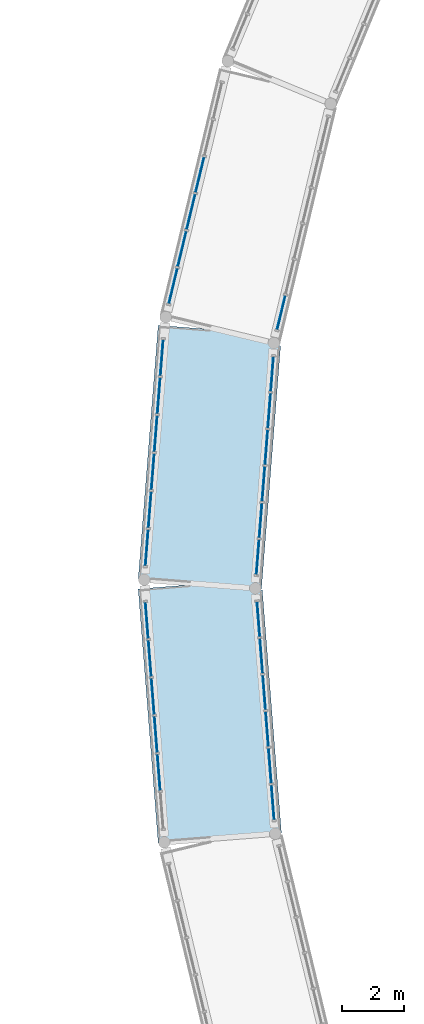
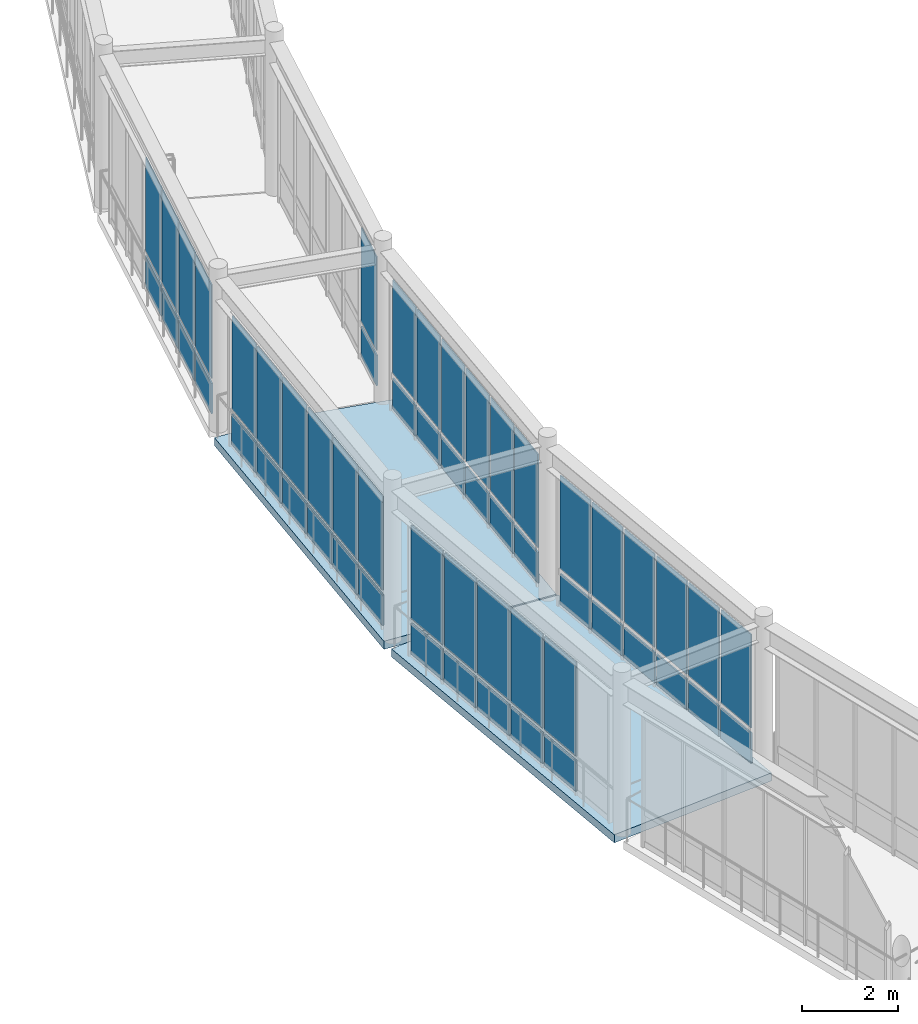
# One storey, part 40 of 80: 56 plates, 2 slabs, 6 elements without a shape of their own.
"""IFC4 building model written with IfcOpenShell, lengths in metres."""

from ifc_helpers import new_model, si_unit, direction, frame, origin, origin_2d, place, context, subcontext, project, spatial, polyline, rectangle, outline, extrude, material, layer, layer_set, type_object, element, aggregate, save


model = new_model("IFC4")

# Units and contexts
model_context = context("Model", 3, precision=1e-05, world=origin(), true_north=direction((0.0, 1.0)))
body_context = subcontext(model_context, "Body", "Model", "MODEL_VIEW")
ifc_project = project(units=[si_unit("LENGTHUNIT", "METRE"), si_unit("AREAUNIT", "SQUARE_METRE"), si_unit("VOLUMEUNIT", "CUBIC_METRE"), si_unit("PLANEANGLEUNIT", "RADIAN"), si_unit("MASSUNIT", "GRAM", prefix="KILO")], contexts=[model_context])

# Site, building, storey
site_placement = place(None, origin())
site = spatial("IfcSite", under=ifc_project, at=site_placement, CompositionType="ELEMENT")
building_placement = place(site_placement, origin())
building = spatial("IfcBuilding", under=site, at=building_placement, Name="Aldenvaro Health Centre", CompositionType="ELEMENT")
storey_placement = place(building_placement, frame((0.0, 0.0, 4.550048828125)))
storey = spatial("IfcBuildingStorey", under=building, at=storey_placement, Name="L01", CompositionType="ELEMENT", Elevation=4.550048828125)

# Curtain wall, plate
ifc_material_1 = material(Name="Anodised Aluminium 6063-T6", Category="aluminium")
ifc_layer_1 = layer(ifc_material_1, 0.2099609375, Name="Anodised Aluminium 6063-T6", Category="aluminium")
ifc_layer_set_1 = layer_set([ifc_layer_1], Name="Anodised Aluminium 6063-T6")
curtain_wall_type = type_object("IfcCurtainWallType", Name="CW-BRG-03", PredefinedType="NOTDEFINED", material=ifc_layer_set_1)
curtain_wall_1_placement = place(storey_placement, origin())
curtain_wall_1 = element("IfcCurtainWall", 1, at=curtain_wall_1_placement, inside=storey, type_object=curtain_wall_type, Name="East Curved Garden Colonnade Arc 3 L01 glazed link wall L-1.1", PredefinedType="NOTDEFINED")
ifc_material_2 = material(Name="Low-E Double Glazing IGU", Category="glass")
ifc_layer_2 = layer(ifc_material_2, 0.028076171875, Name="Low-E Double Glazing IGU", Category="glass")
ifc_layer_set_2 = layer_set([ifc_layer_2], Name="Low-E Double Glazing IGU")
plate_type_1 = type_object("IfcPlateType", Name="CWP-IGU-28", PredefinedType="CURTAIN_PANEL", material=ifc_layer_set_2)
plate_1_placement = place(storey_placement, frame((146.633056640625, 67.778076171875, 0.9599609375), z_axis=(0.0, 0.0, 1.0), x_axis=(-0.233611743879, -0.972329961033, 0.0)))
plate_1 = element("IfcPlate", 2, at=plate_1_placement, type_object=plate_type_1, Name="East Curved Garden Colonnade Arc 3 L01 glazed link wall L-1.1 vision glazing 6", PredefinedType="CURTAIN_PANEL", context=body_context, shape_type="SweptSolid", body=[
    extrude(rectangle(XDim=1.117919921875, YDim=0.028076171875, at=origin_2d()), origin(), (0.0, 0.0, 1.0), 2.389892578125),
])

# Curtain wall, plates
curtain_wall_2_placement = place(storey_placement, origin())
curtain_wall_2 = element("IfcCurtainWall", 3, at=curtain_wall_2_placement, inside=storey, type_object=curtain_wall_type, Name="East Curved Garden Colonnade Arc 3 L01 glazed link wall R-1.1", PredefinedType="NOTDEFINED")
plate_2_placement = place(storey_placement, frame((144.001953125, 72.238037109375, 0.9599609375), z_axis=(0.0, 0.0, 1.0), x_axis=(-0.233587677429, -0.972335742917, 0.0)))
plate_2 = element("IfcPlate", 4, at=plate_2_placement, type_object=plate_type_1, Name="East Curved Garden Colonnade Arc 3 L01 glazed link wall R-1.1 vision glazing 3", PredefinedType="CURTAIN_PANEL", context=body_context, shape_type="SweptSolid", body=[
    extrude(rectangle(XDim=1.1630859375, YDim=0.028076171875, at=origin_2d()), origin(), (0.0, 0.0, 1.0), 2.389892578125),
])
plate_3_placement = place(storey_placement, frame((143.714111328125, 71.0390625, 0.9599609375), z_axis=(0.0, 0.0, 1.0), x_axis=(-0.233587677429, -0.972335742917, 0.0)))
plate_3 = element("IfcPlate", 5, at=plate_3_placement, type_object=plate_type_1, Name="East Curved Garden Colonnade Arc 3 L01 glazed link wall R-1.1 vision glazing 4", PredefinedType="CURTAIN_PANEL", context=body_context, shape_type="SweptSolid", body=[
    extrude(rectangle(XDim=1.1630859375, YDim=0.028076171875, at=origin_2d()), origin(), (0.0, 0.0, 1.0), 2.389892578125),
])
plate_4_placement = place(storey_placement, frame((143.426025390625, 69.840087890625, 0.9599609375), z_axis=(0.0, 0.0, 1.0), x_axis=(-0.233587677429, -0.972335742917, 0.0)))
plate_4 = element("IfcPlate", 6, at=plate_4_placement, type_object=plate_type_1, Name="East Curved Garden Colonnade Arc 3 L01 glazed link wall R-1.1 vision glazing 5", PredefinedType="CURTAIN_PANEL", context=body_context, shape_type="SweptSolid", body=[
    extrude(rectangle(XDim=1.1630859375, YDim=0.028076171875, at=origin_2d()), origin(), (0.0, 0.0, 1.0), 2.389892578125),
])
plate_5_placement = place(storey_placement, frame((143.137939453125, 68.64111328125, 0.9599609375), z_axis=(0.0, 0.0, 1.0), x_axis=(-0.233587677429, -0.972335742917, 0.0)))
plate_5 = element("IfcPlate", 7, at=plate_5_placement, type_object=plate_type_1, Name="East Curved Garden Colonnade Arc 3 L01 glazed link wall R-1.1 vision glazing 6", PredefinedType="CURTAIN_PANEL", context=body_context, shape_type="SweptSolid", body=[
    extrude(rectangle(XDim=1.1630859375, YDim=0.028076171875, at=origin_2d()), origin(), (0.0, 0.0, 1.0), 2.389892578125),
])

curtain_wall_3_placement = place(storey_placement, origin())
curtain_wall_3 = element("IfcCurtainWall", 8, at=curtain_wall_3_placement, inside=storey, type_object=curtain_wall_type, Name="East Curved Garden Colonnade Arc 4 L01 glazed link wall L-1.1", PredefinedType="NOTDEFINED")
plate_6_placement = place(storey_placement, frame((146.339111328125, 65.791015625, 0.9599609375), z_axis=(0.0, 0.0, 1.0), x_axis=(-0.078434604756, -0.996919260912, 0.0)))
plate_6 = element("IfcPlate", 9, at=plate_6_placement, type_object=plate_type_1, Name="East Curved Garden Colonnade Arc 4 L01 glazed link wall L-1.1 vision glazing 1", PredefinedType="CURTAIN_PANEL", context=body_context, shape_type="SweptSolid", body=[
    extrude(rectangle(XDim=1.117919921875, YDim=0.028076171875, at=origin_2d()), origin(), (0.0, 0.0, 1.0), 2.389892578125),
])
plate_7_placement = place(storey_placement, frame((146.24609375, 64.60693359375, 0.9599609375), z_axis=(0.0, 0.0, 1.0), x_axis=(-0.078434604756, -0.996919260912, 0.0)))
plate_7 = element("IfcPlate", 10, at=plate_7_placement, type_object=plate_type_1, Name="East Curved Garden Colonnade Arc 4 L01 glazed link wall L-1.1 vision glazing 2", PredefinedType="CURTAIN_PANEL", context=body_context, shape_type="SweptSolid", body=[
    extrude(rectangle(XDim=1.117919921875, YDim=0.028076171875, at=origin_2d()), origin(), (0.0, 0.0, 1.0), 2.389892578125),
])
plate_8_placement = place(storey_placement, frame((146.153076171875, 63.423095703125, 0.9599609375), z_axis=(0.0, 0.0, 1.0), x_axis=(-0.078434604756, -0.996919260912, 0.0)))
plate_8 = element("IfcPlate", 11, at=plate_8_placement, type_object=plate_type_1, Name="East Curved Garden Colonnade Arc 4 L01 glazed link wall L-1.1 vision glazing 3", PredefinedType="CURTAIN_PANEL", context=body_context, shape_type="SweptSolid", body=[
    extrude(rectangle(XDim=1.117919921875, YDim=0.028076171875, at=origin_2d()), origin(), (0.0, 0.0, 1.0), 2.389892578125),
])
plate_9_placement = place(storey_placement, frame((146.06005859375, 62.238037109375, 0.9599609375), z_axis=(0.0, 0.0, 1.0), x_axis=(-0.078434604756, -0.996919260912, 0.0)))
plate_9 = element("IfcPlate", 12, at=plate_9_placement, type_object=plate_type_1, Name="East Curved Garden Colonnade Arc 4 L01 glazed link wall L-1.1 vision glazing 4", PredefinedType="CURTAIN_PANEL", context=body_context, shape_type="SweptSolid", body=[
    extrude(rectangle(XDim=1.117919921875, YDim=0.028076171875, at=origin_2d()), origin(), (0.0, 0.0, 1.0), 2.389892578125),
])
plate_10_placement = place(storey_placement, frame((145.967041015625, 61.053955078125, 0.9599609375), z_axis=(0.0, 0.0, 1.0), x_axis=(-0.078434604756, -0.996919260912, 0.0)))
plate_10 = element("IfcPlate", 13, at=plate_10_placement, type_object=plate_type_1, Name="East Curved Garden Colonnade Arc 4 L01 glazed link wall L-1.1 vision glazing 5", PredefinedType="CURTAIN_PANEL", context=body_context, shape_type="SweptSolid", body=[
    extrude(rectangle(XDim=1.117919921875, YDim=0.028076171875, at=origin_2d()), origin(), (0.0, 0.0, 1.0), 2.389892578125),
])
plate_11_placement = place(storey_placement, frame((145.8740234375, 59.8701171875, 0.9599609375), z_axis=(0.0, 0.0, 1.0), x_axis=(-0.078434604756, -0.996919260912, 0.0)))
plate_11 = element("IfcPlate", 14, at=plate_11_placement, type_object=plate_type_1, Name="East Curved Garden Colonnade Arc 4 L01 glazed link wall L-1.1 vision glazing 6", PredefinedType="CURTAIN_PANEL", context=body_context, shape_type="SweptSolid", body=[
    extrude(rectangle(XDim=1.117919921875, YDim=0.028076171875, at=origin_2d()), origin(), (0.0, 0.0, 1.0), 2.389892578125),
])

curtain_wall_4_placement = place(storey_placement, origin())
curtain_wall_4 = element("IfcCurtainWall", 15, at=curtain_wall_4_placement, inside=storey, type_object=curtain_wall_type, Name="East Curved Garden Colonnade Arc 4 L01 glazed link wall R-1.1", PredefinedType="NOTDEFINED")
plate_12_placement = place(storey_placement, frame((142.77099609375, 66.320068359375, 0.9599609375), z_axis=(0.0, 0.0, 1.0), x_axis=(-0.078536330505, -0.996911252214, 0.0)))
plate_12 = element("IfcPlate", 16, at=plate_12_placement, type_object=plate_type_1, Name="East Curved Garden Colonnade Arc 4 L01 glazed link wall R-1.1 vision glazing 1", PredefinedType="CURTAIN_PANEL", context=body_context, shape_type="SweptSolid", body=[
    extrude(rectangle(XDim=1.1630859375, YDim=0.028076171875, at=origin_2d()), origin(), (0.0, 0.0, 1.0), 2.389892578125),
])
plate_13_placement = place(storey_placement, frame((142.674072265625, 65.091064453125, 0.9599609375), z_axis=(0.0, 0.0, 1.0), x_axis=(-0.078536330505, -0.996911252214, 0.0)))
plate_13 = element("IfcPlate", 17, at=plate_13_placement, type_object=plate_type_1, Name="East Curved Garden Colonnade Arc 4 L01 glazed link wall R-1.1 vision glazing 2", PredefinedType="CURTAIN_PANEL", context=body_context, shape_type="SweptSolid", body=[
    extrude(rectangle(XDim=1.1630859375, YDim=0.028076171875, at=origin_2d()), origin(), (0.0, 0.0, 1.0), 2.389892578125),
])
plate_14_placement = place(storey_placement, frame((142.576904296875, 63.862060546875, 0.9599609375), z_axis=(0.0, 0.0, 1.0), x_axis=(-0.078536330505, -0.996911252214, 0.0)))
plate_14 = element("IfcPlate", 18, at=plate_14_placement, type_object=plate_type_1, Name="East Curved Garden Colonnade Arc 4 L01 glazed link wall R-1.1 vision glazing 3", PredefinedType="CURTAIN_PANEL", context=body_context, shape_type="SweptSolid", body=[
    extrude(rectangle(XDim=1.1630859375, YDim=0.028076171875, at=origin_2d()), origin(), (0.0, 0.0, 1.0), 2.389892578125),
])
plate_15_placement = place(storey_placement, frame((142.47998046875, 62.633056640625, 0.9599609375), z_axis=(0.0, 0.0, 1.0), x_axis=(-0.078536330505, -0.996911252214, 0.0)))
plate_15 = element("IfcPlate", 19, at=plate_15_placement, type_object=plate_type_1, Name="East Curved Garden Colonnade Arc 4 L01 glazed link wall R-1.1 vision glazing 4", PredefinedType="CURTAIN_PANEL", context=body_context, shape_type="SweptSolid", body=[
    extrude(rectangle(XDim=1.1630859375, YDim=0.028076171875, at=origin_2d()), origin(), (0.0, 0.0, 1.0), 2.389892578125),
])
plate_16_placement = place(storey_placement, frame((142.383056640625, 61.404052734375, 0.9599609375), z_axis=(0.0, 0.0, 1.0), x_axis=(-0.078536330505, -0.996911252214, 0.0)))
plate_16 = element("IfcPlate", 20, at=plate_16_placement, type_object=plate_type_1, Name="East Curved Garden Colonnade Arc 4 L01 glazed link wall R-1.1 vision glazing 5", PredefinedType="CURTAIN_PANEL", context=body_context, shape_type="SweptSolid", body=[
    extrude(rectangle(XDim=1.1630859375, YDim=0.028076171875, at=origin_2d()), origin(), (0.0, 0.0, 1.0), 2.389892578125),
])
plate_17_placement = place(storey_placement, frame((142.285888671875, 60.175048828125, 0.9599609375), z_axis=(0.0, 0.0, 1.0), x_axis=(-0.078536330505, -0.996911252214, 0.0)))
plate_17 = element("IfcPlate", 21, at=plate_17_placement, type_object=plate_type_1, Name="East Curved Garden Colonnade Arc 4 L01 glazed link wall R-1.1 vision glazing 6", PredefinedType="CURTAIN_PANEL", context=body_context, shape_type="SweptSolid", body=[
    extrude(rectangle(XDim=1.1630859375, YDim=0.028076171875, at=origin_2d()), origin(), (0.0, 0.0, 1.0), 2.389892578125),
])

curtain_wall_5_placement = place(storey_placement, origin())
curtain_wall_5 = element("IfcCurtainWall", 22, at=curtain_wall_5_placement, inside=storey, type_object=curtain_wall_type, Name="East Curved Garden Colonnade Arc 5 L01 glazed link wall L-1.1", PredefinedType="NOTDEFINED")
plate_18_placement = place(storey_placement, frame((145.89599609375, 57.861083984375, 0.9599609375), z_axis=(0.0, 0.0, 1.0), x_axis=(0.078423634857, -0.99692012393, 0.0)))
plate_18 = element("IfcPlate", 23, at=plate_18_placement, type_object=plate_type_1, Name="East Curved Garden Colonnade Arc 5 L01 glazed link wall L-1.1 vision glazing 1", PredefinedType="CURTAIN_PANEL", context=body_context, shape_type="SweptSolid", body=[
    extrude(rectangle(XDim=1.117919921875, YDim=0.028076171875, at=origin_2d()), origin(), (0.0, 0.0, 1.0), 2.389892578125),
])
plate_19_placement = place(storey_placement, frame((145.989013671875, 56.677001953125, 0.9599609375), z_axis=(0.0, 0.0, 1.0), x_axis=(0.078423634857, -0.99692012393, 0.0)))
plate_19 = element("IfcPlate", 24, at=plate_19_placement, type_object=plate_type_1, Name="East Curved Garden Colonnade Arc 5 L01 glazed link wall L-1.1 vision glazing 2", PredefinedType="CURTAIN_PANEL", context=body_context, shape_type="SweptSolid", body=[
    extrude(rectangle(XDim=1.117919921875, YDim=0.028076171875, at=origin_2d()), origin(), (0.0, 0.0, 1.0), 2.389892578125),
])
plate_20_placement = place(storey_placement, frame((146.08203125, 55.491943359375, 0.9599609375), z_axis=(0.0, 0.0, 1.0), x_axis=(0.078423634857, -0.99692012393, 0.0)))
plate_20 = element("IfcPlate", 25, at=plate_20_placement, type_object=plate_type_1, Name="East Curved Garden Colonnade Arc 5 L01 glazed link wall L-1.1 vision glazing 3", PredefinedType="CURTAIN_PANEL", context=body_context, shape_type="SweptSolid", body=[
    extrude(rectangle(XDim=1.117919921875, YDim=0.028076171875, at=origin_2d()), origin(), (0.0, 0.0, 1.0), 2.389892578125),
])
plate_21_placement = place(storey_placement, frame((146.175048828125, 54.30810546875, 0.9599609375), z_axis=(0.0, 0.0, 1.0), x_axis=(0.078423634857, -0.99692012393, 0.0)))
plate_21 = element("IfcPlate", 26, at=plate_21_placement, type_object=plate_type_1, Name="East Curved Garden Colonnade Arc 5 L01 glazed link wall L-1.1 vision glazing 4", PredefinedType="CURTAIN_PANEL", context=body_context, shape_type="SweptSolid", body=[
    extrude(rectangle(XDim=1.117919921875, YDim=0.028076171875, at=origin_2d()), origin(), (0.0, 0.0, 1.0), 2.389892578125),
])
plate_22_placement = place(storey_placement, frame((146.26806640625, 53.123046875, 0.9599609375), z_axis=(0.0, 0.0, 1.0), x_axis=(0.078423634857, -0.99692012393, 0.0)))
plate_22 = element("IfcPlate", 27, at=plate_22_placement, type_object=plate_type_1, Name="East Curved Garden Colonnade Arc 5 L01 glazed link wall L-1.1 vision glazing 5", PredefinedType="CURTAIN_PANEL", context=body_context, shape_type="SweptSolid", body=[
    extrude(rectangle(XDim=1.117919921875, YDim=0.028076171875, at=origin_2d()), origin(), (0.0, 0.0, 1.0), 2.389892578125),
])
plate_23_placement = place(storey_placement, frame((146.361083984375, 51.93896484375, 0.9599609375), z_axis=(0.0, 0.0, 1.0), x_axis=(0.078423634857, -0.99692012393, 0.0)))
plate_23 = element("IfcPlate", 28, at=plate_23_placement, type_object=plate_type_1, Name="East Curved Garden Colonnade Arc 5 L01 glazed link wall L-1.1 vision glazing 6", PredefinedType="CURTAIN_PANEL", context=body_context, shape_type="SweptSolid", body=[
    extrude(rectangle(XDim=1.117919921875, YDim=0.028076171875, at=origin_2d()), origin(), (0.0, 0.0, 1.0), 2.389892578125),
])

curtain_wall_6_placement = place(storey_placement, origin())
curtain_wall_6 = element("IfcCurtainWall", 29, at=curtain_wall_6_placement, inside=storey, type_object=curtain_wall_type, Name="East Curved Garden Colonnade Arc 5 L01 glazed link wall R-1.1", PredefinedType="NOTDEFINED")
plate_24_placement = place(storey_placement, frame((142.285888671875, 57.824951171875, 0.9599609375), z_axis=(0.0, 0.0, 1.0), x_axis=(0.078536330505, -0.996911252214, 0.0)))
plate_24 = element("IfcPlate", 30, at=plate_24_placement, type_object=plate_type_1, Name="East Curved Garden Colonnade Arc 5 L01 glazed link wall R-1.1 vision glazing 1", PredefinedType="CURTAIN_PANEL", context=body_context, shape_type="SweptSolid", body=[
    extrude(rectangle(XDim=1.1630859375, YDim=0.028076171875, at=origin_2d()), origin(), (0.0, 0.0, 1.0), 2.389892578125),
])
plate_25_placement = place(storey_placement, frame((142.383056640625, 56.595947265625, 0.9599609375), z_axis=(0.0, 0.0, 1.0), x_axis=(0.078536330505, -0.996911252214, 0.0)))
plate_25 = element("IfcPlate", 31, at=plate_25_placement, type_object=plate_type_1, Name="East Curved Garden Colonnade Arc 5 L01 glazed link wall R-1.1 vision glazing 2", PredefinedType="CURTAIN_PANEL", context=body_context, shape_type="SweptSolid", body=[
    extrude(rectangle(XDim=1.1630859375, YDim=0.028076171875, at=origin_2d()), origin(), (0.0, 0.0, 1.0), 2.389892578125),
])
plate_26_placement = place(storey_placement, frame((142.47998046875, 55.366943359375, 0.9599609375), z_axis=(0.0, 0.0, 1.0), x_axis=(0.078536330505, -0.996911252214, 0.0)))
plate_26 = element("IfcPlate", 32, at=plate_26_placement, type_object=plate_type_1, Name="East Curved Garden Colonnade Arc 5 L01 glazed link wall R-1.1 vision glazing 3", PredefinedType="CURTAIN_PANEL", context=body_context, shape_type="SweptSolid", body=[
    extrude(rectangle(XDim=1.1630859375, YDim=0.028076171875, at=origin_2d()), origin(), (0.0, 0.0, 1.0), 2.389892578125),
])
plate_27_placement = place(storey_placement, frame((142.576904296875, 54.137939453125, 0.9599609375), z_axis=(0.0, 0.0, 1.0), x_axis=(0.078536330505, -0.996911252214, 0.0)))
plate_27 = element("IfcPlate", 33, at=plate_27_placement, type_object=plate_type_1, Name="East Curved Garden Colonnade Arc 5 L01 glazed link wall R-1.1 vision glazing 4", PredefinedType="CURTAIN_PANEL", context=body_context, shape_type="SweptSolid", body=[
    extrude(rectangle(XDim=1.1630859375, YDim=0.028076171875, at=origin_2d()), origin(), (0.0, 0.0, 1.0), 2.389892578125),
])
plate_28_placement = place(storey_placement, frame((142.674072265625, 52.908935546875, 0.9599609375), z_axis=(0.0, 0.0, 1.0), x_axis=(0.078536330505, -0.996911252214, 0.0)))
plate_28 = element("IfcPlate", 34, at=plate_28_placement, type_object=plate_type_1, Name="East Curved Garden Colonnade Arc 5 L01 glazed link wall R-1.1 vision glazing 5", PredefinedType="CURTAIN_PANEL", context=body_context, shape_type="SweptSolid", body=[
    extrude(rectangle(XDim=1.1630859375, YDim=0.028076171875, at=origin_2d()), origin(), (0.0, 0.0, 1.0), 2.389892578125),
])

# Plate
ifc_material_3 = material(Name="Insulated Aluminium Spandrel", Category="aluminium")
ifc_layer_3 = layer(ifc_material_3, 0.035888671875, Name="Insulated Aluminium Spandrel", Category="aluminium")
ifc_layer_set_3 = layer_set([ifc_layer_3], Name="Insulated Aluminium Spandrel")
plate_type_2 = type_object("IfcPlateType", Name="CWP-SPN-36", PredefinedType="CURTAIN_PANEL", material=ifc_layer_set_3)
plate_29_placement = place(storey_placement, frame((146.633056640625, 67.778076171875, 0.06005859375), z_axis=(0.0, 0.0, 1.0), x_axis=(-0.233611743879, -0.972329961033, 0.0)))
plate_29 = element("IfcPlate", 35, at=plate_29_placement, type_object=plate_type_2, Name="East Curved Garden Colonnade Arc 3 L01 glazed link wall L-1.1 spandrel panel 6", PredefinedType="CURTAIN_PANEL", context=body_context, shape_type="SweptSolid", body=[
    extrude(rectangle(XDim=1.117919921875, YDim=0.035888671875, at=origin_2d()), origin(), (0.0, 0.0, 1.0), 0.780029296875),
])

aggregate(curtain_wall_1, [plate_29, plate_1])

plate_30_placement = place(storey_placement, frame((144.001953125, 72.238037109375, 0.06005859375), z_axis=(0.0, 0.0, 1.0), x_axis=(-0.233587677429, -0.972335742917, 0.0)))
plate_30 = element("IfcPlate", 36, at=plate_30_placement, type_object=plate_type_2, Name="East Curved Garden Colonnade Arc 3 L01 glazed link wall R-1.1 spandrel panel 3", PredefinedType="CURTAIN_PANEL", context=body_context, shape_type="SweptSolid", body=[
    extrude(rectangle(XDim=1.1630859375, YDim=0.035888671875, at=origin_2d()), origin(), (0.0, 0.0, 1.0), 0.780029296875),
])

plate_31_placement = place(storey_placement, frame((143.714111328125, 71.0390625, 0.06005859375), z_axis=(0.0, 0.0, 1.0), x_axis=(-0.233587677429, -0.972335742917, 0.0)))
plate_31 = element("IfcPlate", 37, at=plate_31_placement, type_object=plate_type_2, Name="East Curved Garden Colonnade Arc 3 L01 glazed link wall R-1.1 spandrel panel 4", PredefinedType="CURTAIN_PANEL", context=body_context, shape_type="SweptSolid", body=[
    extrude(rectangle(XDim=1.1630859375, YDim=0.035888671875, at=origin_2d()), origin(), (0.0, 0.0, 1.0), 0.780029296875),
])

plate_32_placement = place(storey_placement, frame((143.426025390625, 69.840087890625, 0.06005859375), z_axis=(0.0, 0.0, 1.0), x_axis=(-0.233587677429, -0.972335742917, 0.0)))
plate_32 = element("IfcPlate", 38, at=plate_32_placement, type_object=plate_type_2, Name="East Curved Garden Colonnade Arc 3 L01 glazed link wall R-1.1 spandrel panel 5", PredefinedType="CURTAIN_PANEL", context=body_context, shape_type="SweptSolid", body=[
    extrude(rectangle(XDim=1.1630859375, YDim=0.035888671875, at=origin_2d()), origin(), (0.0, 0.0, 1.0), 0.780029296875),
])

plate_33_placement = place(storey_placement, frame((143.137939453125, 68.64111328125, 0.06005859375), z_axis=(0.0, 0.0, 1.0), x_axis=(-0.233587677429, -0.972335742917, 0.0)))
plate_33 = element("IfcPlate", 39, at=plate_33_placement, type_object=plate_type_2, Name="East Curved Garden Colonnade Arc 3 L01 glazed link wall R-1.1 spandrel panel 6", PredefinedType="CURTAIN_PANEL", context=body_context, shape_type="SweptSolid", body=[
    extrude(rectangle(XDim=1.1630859375, YDim=0.035888671875, at=origin_2d()), origin(), (0.0, 0.0, 1.0), 0.780029296875),
])

aggregate(curtain_wall_2, [plate_30, plate_2, plate_31, plate_3, plate_32, plate_4, plate_33, plate_5])

plate_34_placement = place(storey_placement, frame((146.339111328125, 65.791015625, 0.06005859375), z_axis=(0.0, 0.0, 1.0), x_axis=(-0.078434604756, -0.996919260912, 0.0)))
plate_34 = element("IfcPlate", 40, at=plate_34_placement, type_object=plate_type_2, Name="East Curved Garden Colonnade Arc 4 L01 glazed link wall L-1.1 spandrel panel 1", PredefinedType="CURTAIN_PANEL", context=body_context, shape_type="SweptSolid", body=[
    extrude(rectangle(XDim=1.117919921875, YDim=0.035888671875, at=origin_2d()), origin(), (0.0, 0.0, 1.0), 0.780029296875),
])

plate_35_placement = place(storey_placement, frame((146.24609375, 64.60693359375, 0.06005859375), z_axis=(0.0, 0.0, 1.0), x_axis=(-0.078434604756, -0.996919260912, 0.0)))
plate_35 = element("IfcPlate", 41, at=plate_35_placement, type_object=plate_type_2, Name="East Curved Garden Colonnade Arc 4 L01 glazed link wall L-1.1 spandrel panel 2", PredefinedType="CURTAIN_PANEL", context=body_context, shape_type="SweptSolid", body=[
    extrude(rectangle(XDim=1.117919921875, YDim=0.035888671875, at=origin_2d()), origin(), (0.0, 0.0, 1.0), 0.780029296875),
])

plate_36_placement = place(storey_placement, frame((146.153076171875, 63.423095703125, 0.06005859375), z_axis=(0.0, 0.0, 1.0), x_axis=(-0.078434604756, -0.996919260912, 0.0)))
plate_36 = element("IfcPlate", 42, at=plate_36_placement, type_object=plate_type_2, Name="East Curved Garden Colonnade Arc 4 L01 glazed link wall L-1.1 spandrel panel 3", PredefinedType="CURTAIN_PANEL", context=body_context, shape_type="SweptSolid", body=[
    extrude(rectangle(XDim=1.117919921875, YDim=0.035888671875, at=origin_2d()), origin(), (0.0, 0.0, 1.0), 0.780029296875),
])

plate_37_placement = place(storey_placement, frame((146.06005859375, 62.238037109375, 0.06005859375), z_axis=(0.0, 0.0, 1.0), x_axis=(-0.078434604756, -0.996919260912, 0.0)))
plate_37 = element("IfcPlate", 43, at=plate_37_placement, type_object=plate_type_2, Name="East Curved Garden Colonnade Arc 4 L01 glazed link wall L-1.1 spandrel panel 4", PredefinedType="CURTAIN_PANEL", context=body_context, shape_type="SweptSolid", body=[
    extrude(rectangle(XDim=1.117919921875, YDim=0.035888671875, at=origin_2d()), origin(), (0.0, 0.0, 1.0), 0.780029296875),
])

plate_38_placement = place(storey_placement, frame((145.967041015625, 61.053955078125, 0.06005859375), z_axis=(0.0, 0.0, 1.0), x_axis=(-0.078434604756, -0.996919260912, 0.0)))
plate_38 = element("IfcPlate", 44, at=plate_38_placement, type_object=plate_type_2, Name="East Curved Garden Colonnade Arc 4 L01 glazed link wall L-1.1 spandrel panel 5", PredefinedType="CURTAIN_PANEL", context=body_context, shape_type="SweptSolid", body=[
    extrude(rectangle(XDim=1.117919921875, YDim=0.035888671875, at=origin_2d()), origin(), (0.0, 0.0, 1.0), 0.780029296875),
])

plate_39_placement = place(storey_placement, frame((145.8740234375, 59.8701171875, 0.06005859375), z_axis=(0.0, 0.0, 1.0), x_axis=(-0.078434604756, -0.996919260912, 0.0)))
plate_39 = element("IfcPlate", 45, at=plate_39_placement, type_object=plate_type_2, Name="East Curved Garden Colonnade Arc 4 L01 glazed link wall L-1.1 spandrel panel 6", PredefinedType="CURTAIN_PANEL", context=body_context, shape_type="SweptSolid", body=[
    extrude(rectangle(XDim=1.117919921875, YDim=0.035888671875, at=origin_2d()), origin(), (0.0, 0.0, 1.0), 0.780029296875),
])

aggregate(curtain_wall_3, [plate_34, plate_6, plate_35, plate_7, plate_36, plate_8, plate_37, plate_9, plate_38, plate_10, plate_39, plate_11])

plate_40_placement = place(storey_placement, frame((142.77099609375, 66.320068359375, 0.06005859375), z_axis=(0.0, 0.0, 1.0), x_axis=(-0.078536330505, -0.996911252214, 0.0)))
plate_40 = element("IfcPlate", 46, at=plate_40_placement, type_object=plate_type_2, Name="East Curved Garden Colonnade Arc 4 L01 glazed link wall R-1.1 spandrel panel 1", PredefinedType="CURTAIN_PANEL", context=body_context, shape_type="SweptSolid", body=[
    extrude(rectangle(XDim=1.1630859375, YDim=0.035888671875, at=origin_2d()), origin(), (0.0, 0.0, 1.0), 0.780029296875),
])

plate_41_placement = place(storey_placement, frame((142.674072265625, 65.091064453125, 0.06005859375), z_axis=(0.0, 0.0, 1.0), x_axis=(-0.078536330505, -0.996911252214, 0.0)))
plate_41 = element("IfcPlate", 47, at=plate_41_placement, type_object=plate_type_2, Name="East Curved Garden Colonnade Arc 4 L01 glazed link wall R-1.1 spandrel panel 2", PredefinedType="CURTAIN_PANEL", context=body_context, shape_type="SweptSolid", body=[
    extrude(rectangle(XDim=1.1630859375, YDim=0.035888671875, at=origin_2d()), origin(), (0.0, 0.0, 1.0), 0.780029296875),
])

plate_42_placement = place(storey_placement, frame((142.576904296875, 63.862060546875, 0.06005859375), z_axis=(0.0, 0.0, 1.0), x_axis=(-0.078536330505, -0.996911252214, 0.0)))
plate_42 = element("IfcPlate", 48, at=plate_42_placement, type_object=plate_type_2, Name="East Curved Garden Colonnade Arc 4 L01 glazed link wall R-1.1 spandrel panel 3", PredefinedType="CURTAIN_PANEL", context=body_context, shape_type="SweptSolid", body=[
    extrude(rectangle(XDim=1.1630859375, YDim=0.035888671875, at=origin_2d()), origin(), (0.0, 0.0, 1.0), 0.780029296875),
])

plate_43_placement = place(storey_placement, frame((142.47998046875, 62.633056640625, 0.06005859375), z_axis=(0.0, 0.0, 1.0), x_axis=(-0.078536330505, -0.996911252214, 0.0)))
plate_43 = element("IfcPlate", 49, at=plate_43_placement, type_object=plate_type_2, Name="East Curved Garden Colonnade Arc 4 L01 glazed link wall R-1.1 spandrel panel 4", PredefinedType="CURTAIN_PANEL", context=body_context, shape_type="SweptSolid", body=[
    extrude(rectangle(XDim=1.1630859375, YDim=0.035888671875, at=origin_2d()), origin(), (0.0, 0.0, 1.0), 0.780029296875),
])

plate_44_placement = place(storey_placement, frame((142.383056640625, 61.404052734375, 0.06005859375), z_axis=(0.0, 0.0, 1.0), x_axis=(-0.078536330505, -0.996911252214, 0.0)))
plate_44 = element("IfcPlate", 50, at=plate_44_placement, type_object=plate_type_2, Name="East Curved Garden Colonnade Arc 4 L01 glazed link wall R-1.1 spandrel panel 5", PredefinedType="CURTAIN_PANEL", context=body_context, shape_type="SweptSolid", body=[
    extrude(rectangle(XDim=1.1630859375, YDim=0.035888671875, at=origin_2d()), origin(), (0.0, 0.0, 1.0), 0.780029296875),
])

plate_45_placement = place(storey_placement, frame((142.285888671875, 60.175048828125, 0.06005859375), z_axis=(0.0, 0.0, 1.0), x_axis=(-0.078536330505, -0.996911252214, 0.0)))
plate_45 = element("IfcPlate", 51, at=plate_45_placement, type_object=plate_type_2, Name="East Curved Garden Colonnade Arc 4 L01 glazed link wall R-1.1 spandrel panel 6", PredefinedType="CURTAIN_PANEL", context=body_context, shape_type="SweptSolid", body=[
    extrude(rectangle(XDim=1.1630859375, YDim=0.035888671875, at=origin_2d()), origin(), (0.0, 0.0, 1.0), 0.780029296875),
])

aggregate(curtain_wall_4, [plate_40, plate_12, plate_41, plate_13, plate_42, plate_14, plate_43, plate_15, plate_44, plate_16, plate_45, plate_17])

plate_46_placement = place(storey_placement, frame((145.89599609375, 57.861083984375, 0.06005859375), z_axis=(0.0, 0.0, 1.0), x_axis=(0.078423634857, -0.99692012393, 0.0)))
plate_46 = element("IfcPlate", 52, at=plate_46_placement, type_object=plate_type_2, Name="East Curved Garden Colonnade Arc 5 L01 glazed link wall L-1.1 spandrel panel 1", PredefinedType="CURTAIN_PANEL", context=body_context, shape_type="SweptSolid", body=[
    extrude(rectangle(XDim=1.117919921875, YDim=0.035888671875, at=origin_2d()), origin(), (0.0, 0.0, 1.0), 0.780029296875),
])

plate_47_placement = place(storey_placement, frame((145.989013671875, 56.677001953125, 0.06005859375), z_axis=(0.0, 0.0, 1.0), x_axis=(0.078423634857, -0.99692012393, 0.0)))
plate_47 = element("IfcPlate", 53, at=plate_47_placement, type_object=plate_type_2, Name="East Curved Garden Colonnade Arc 5 L01 glazed link wall L-1.1 spandrel panel 2", PredefinedType="CURTAIN_PANEL", context=body_context, shape_type="SweptSolid", body=[
    extrude(rectangle(XDim=1.117919921875, YDim=0.035888671875, at=origin_2d()), origin(), (0.0, 0.0, 1.0), 0.780029296875),
])

plate_48_placement = place(storey_placement, frame((146.08203125, 55.491943359375, 0.06005859375), z_axis=(0.0, 0.0, 1.0), x_axis=(0.078423634857, -0.99692012393, 0.0)))
plate_48 = element("IfcPlate", 54, at=plate_48_placement, type_object=plate_type_2, Name="East Curved Garden Colonnade Arc 5 L01 glazed link wall L-1.1 spandrel panel 3", PredefinedType="CURTAIN_PANEL", context=body_context, shape_type="SweptSolid", body=[
    extrude(rectangle(XDim=1.117919921875, YDim=0.035888671875, at=origin_2d()), origin(), (0.0, 0.0, 1.0), 0.780029296875),
])

plate_49_placement = place(storey_placement, frame((146.175048828125, 54.30810546875, 0.06005859375), z_axis=(0.0, 0.0, 1.0), x_axis=(0.078423634857, -0.99692012393, 0.0)))
plate_49 = element("IfcPlate", 55, at=plate_49_placement, type_object=plate_type_2, Name="East Curved Garden Colonnade Arc 5 L01 glazed link wall L-1.1 spandrel panel 4", PredefinedType="CURTAIN_PANEL", context=body_context, shape_type="SweptSolid", body=[
    extrude(rectangle(XDim=1.117919921875, YDim=0.035888671875, at=origin_2d()), origin(), (0.0, 0.0, 1.0), 0.780029296875),
])

plate_50_placement = place(storey_placement, frame((146.26806640625, 53.123046875, 0.06005859375), z_axis=(0.0, 0.0, 1.0), x_axis=(0.078423634857, -0.99692012393, 0.0)))
plate_50 = element("IfcPlate", 56, at=plate_50_placement, type_object=plate_type_2, Name="East Curved Garden Colonnade Arc 5 L01 glazed link wall L-1.1 spandrel panel 5", PredefinedType="CURTAIN_PANEL", context=body_context, shape_type="SweptSolid", body=[
    extrude(rectangle(XDim=1.117919921875, YDim=0.035888671875, at=origin_2d()), origin(), (0.0, 0.0, 1.0), 0.780029296875),
])

plate_51_placement = place(storey_placement, frame((146.361083984375, 51.93896484375, 0.06005859375), z_axis=(0.0, 0.0, 1.0), x_axis=(0.078423634857, -0.99692012393, 0.0)))
plate_51 = element("IfcPlate", 57, at=plate_51_placement, type_object=plate_type_2, Name="East Curved Garden Colonnade Arc 5 L01 glazed link wall L-1.1 spandrel panel 6", PredefinedType="CURTAIN_PANEL", context=body_context, shape_type="SweptSolid", body=[
    extrude(rectangle(XDim=1.117919921875, YDim=0.035888671875, at=origin_2d()), origin(), (0.0, 0.0, 1.0), 0.780029296875),
])

aggregate(curtain_wall_5, [plate_46, plate_18, plate_47, plate_19, plate_48, plate_20, plate_49, plate_21, plate_50, plate_22, plate_51, plate_23])

plate_52_placement = place(storey_placement, frame((142.285888671875, 57.824951171875, 0.06005859375), z_axis=(0.0, 0.0, 1.0), x_axis=(0.078536330505, -0.996911252214, 0.0)))
plate_52 = element("IfcPlate", 58, at=plate_52_placement, type_object=plate_type_2, Name="East Curved Garden Colonnade Arc 5 L01 glazed link wall R-1.1 spandrel panel 1", PredefinedType="CURTAIN_PANEL", context=body_context, shape_type="SweptSolid", body=[
    extrude(rectangle(XDim=1.1630859375, YDim=0.035888671875, at=origin_2d()), origin(), (0.0, 0.0, 1.0), 0.780029296875),
])

plate_53_placement = place(storey_placement, frame((142.383056640625, 56.595947265625, 0.06005859375), z_axis=(0.0, 0.0, 1.0), x_axis=(0.078536330505, -0.996911252214, 0.0)))
plate_53 = element("IfcPlate", 59, at=plate_53_placement, type_object=plate_type_2, Name="East Curved Garden Colonnade Arc 5 L01 glazed link wall R-1.1 spandrel panel 2", PredefinedType="CURTAIN_PANEL", context=body_context, shape_type="SweptSolid", body=[
    extrude(rectangle(XDim=1.1630859375, YDim=0.035888671875, at=origin_2d()), origin(), (0.0, 0.0, 1.0), 0.780029296875),
])

plate_54_placement = place(storey_placement, frame((142.47998046875, 55.366943359375, 0.06005859375), z_axis=(0.0, 0.0, 1.0), x_axis=(0.078536330505, -0.996911252214, 0.0)))
plate_54 = element("IfcPlate", 60, at=plate_54_placement, type_object=plate_type_2, Name="East Curved Garden Colonnade Arc 5 L01 glazed link wall R-1.1 spandrel panel 3", PredefinedType="CURTAIN_PANEL", context=body_context, shape_type="SweptSolid", body=[
    extrude(rectangle(XDim=1.1630859375, YDim=0.035888671875, at=origin_2d()), origin(), (0.0, 0.0, 1.0), 0.780029296875),
])

plate_55_placement = place(storey_placement, frame((142.576904296875, 54.137939453125, 0.06005859375), z_axis=(0.0, 0.0, 1.0), x_axis=(0.078536330505, -0.996911252214, 0.0)))
plate_55 = element("IfcPlate", 61, at=plate_55_placement, type_object=plate_type_2, Name="East Curved Garden Colonnade Arc 5 L01 glazed link wall R-1.1 spandrel panel 4", PredefinedType="CURTAIN_PANEL", context=body_context, shape_type="SweptSolid", body=[
    extrude(rectangle(XDim=1.1630859375, YDim=0.035888671875, at=origin_2d()), origin(), (0.0, 0.0, 1.0), 0.780029296875),
])

plate_56_placement = place(storey_placement, frame((142.674072265625, 52.908935546875, 0.06005859375), z_axis=(0.0, 0.0, 1.0), x_axis=(0.078536330505, -0.996911252214, 0.0)))
plate_56 = element("IfcPlate", 62, at=plate_56_placement, type_object=plate_type_2, Name="East Curved Garden Colonnade Arc 5 L01 glazed link wall R-1.1 spandrel panel 5", PredefinedType="CURTAIN_PANEL", context=body_context, shape_type="SweptSolid", body=[
    extrude(rectangle(XDim=1.1630859375, YDim=0.035888671875, at=origin_2d()), origin(), (0.0, 0.0, 1.0), 0.780029296875),
])

aggregate(curtain_wall_6, [plate_52, plate_24, plate_53, plate_25, plate_54, plate_26, plate_55, plate_27, plate_56, plate_28])

# Slabs
ifc_material_4 = material(Name="Cross-laminated timber CLT E1", Category="wood")
ifc_layer_4 = layer(ifc_material_4, 0.205078125, Name="Cross-laminated timber CLT E1", Category="wood")
ifc_layer_set_4 = layer_set([ifc_layer_4], Name="Cross-laminated timber CLT E1")
slab_type = type_object("IfcSlabType", Name="SLB-CLT-205", PredefinedType="FLOOR", material=ifc_layer_set_4)
slab_1_placement = place(storey_placement, frame((0.0, 0.0, -0.205078125)))
element("IfcSlab", 63, at=slab_1_placement, inside=storey, type_object=slab_type, Name="East Curved Garden Colonnade Arc 4 L01 deck slab", PredefinedType="FLOOR", context=body_context, shape_type="SweptSolid", body=[
    extrude(outline(polyline([(145.993896484375, 58.843017578125), (142.006103515625, 59.156982421875), (142.652099609375, 67.3701171875), (144.39111328125, 67.23291015625), (146.612060546875, 66.699951171875), (145.993896484375, 58.843017578125)])), origin(), (0.0, 0.0, 1.0), 0.205078125),
])
slab_2_placement = place(storey_placement, frame((0.0, 0.0, -0.205078125)))
element("IfcSlab", 64, at=slab_2_placement, inside=storey, type_object=slab_type, Name="East Curved Garden Colonnade Arc 5 L01 deck slab", PredefinedType="FLOOR", context=body_context, shape_type="SweptSolid", body=[
    extrude(outline(polyline([(146.639892578125, 50.944091796875), (142.652099609375, 50.6298828125), (142.006103515625, 58.843017578125), (143.7451171875, 58.97998046875), (146.02197265625, 58.801025390625), (146.639892578125, 50.944091796875)])), origin(), (0.0, 0.0, 1.0), 0.205078125),
])

save(model, "model.ifc")
